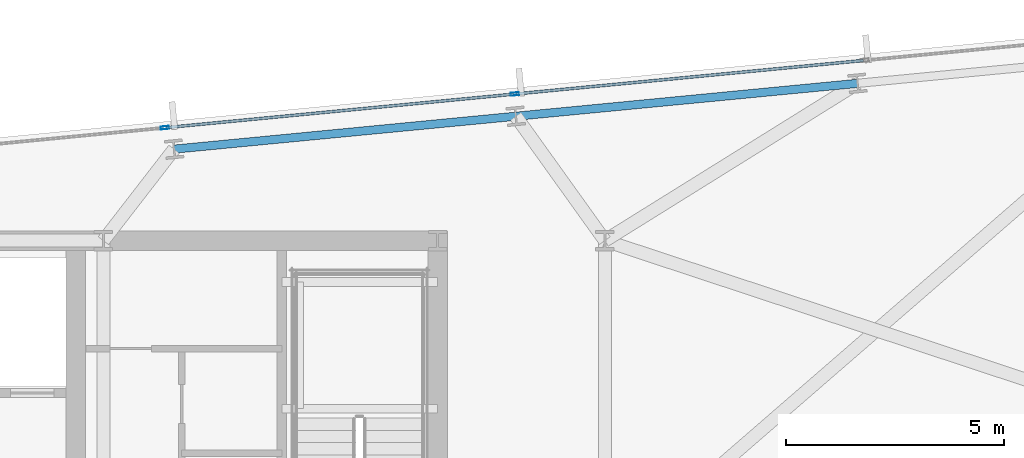
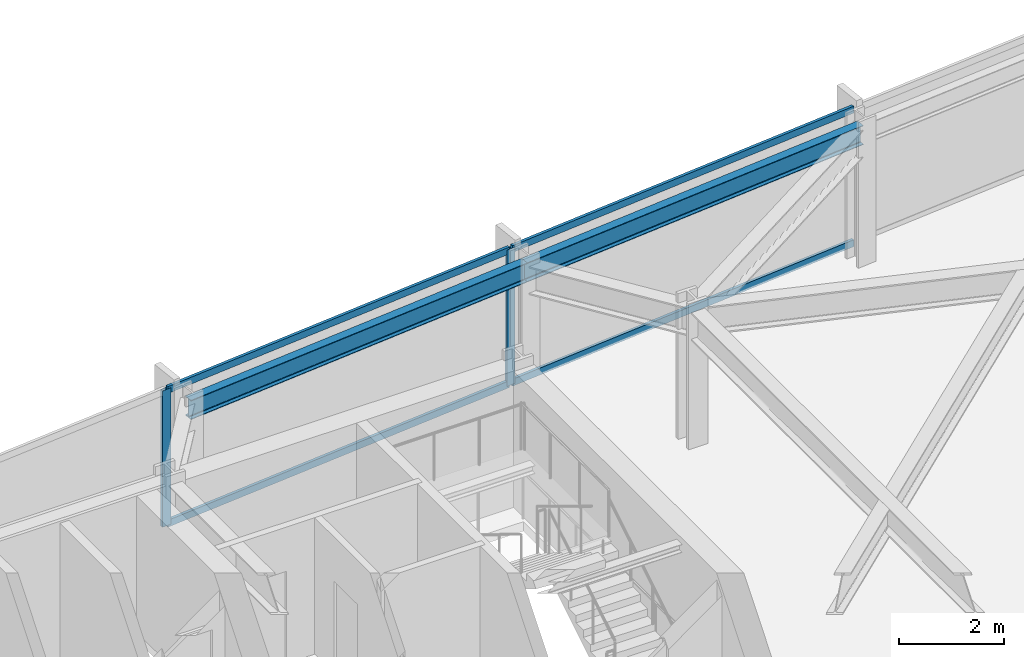
# One storey, part 21 of 32: 6 members, 2 beams, 1 element without a shape of its own.
"""IFC4 building model written with IfcOpenShell, lengths in metres."""

from ifc_helpers import new_model, si_unit, direction, frame, origin, origin_2d, place, context, subcontext, project, spatial, hollow_rectangle, i_section, extrude, material, material_profile, profile_set, type_object, element, aggregate, save


model = new_model("IFC4")

# Units and contexts
model_context = context("Model", 3, precision=1e-05, world=origin(), true_north=direction((0.0, 1.0)))
body_context = subcontext(model_context, "Body", "Model", "MODEL_VIEW")
ifc_project = project(units=[si_unit("LENGTHUNIT", "METRE"), si_unit("AREAUNIT", "SQUARE_METRE"), si_unit("VOLUMEUNIT", "CUBIC_METRE"), si_unit("PLANEANGLEUNIT", "RADIAN"), si_unit("MASSUNIT", "GRAM", prefix="KILO")], contexts=[model_context])

# Site, building, storey
site_placement = place(None, origin())
site = spatial("IfcSite", under=ifc_project, at=site_placement, CompositionType="ELEMENT")
building_placement = place(site_placement, origin())
building = spatial("IfcBuilding", under=site, at=building_placement, Name="Yelkora Congress Tower", CompositionType="ELEMENT")
storey_placement = place(building_placement, frame((0.0, 0.0, 130.5)))
storey = spatial("IfcBuildingStorey", under=building, at=storey_placement, Name="L35", CompositionType="ELEMENT", Elevation=130.5)

# Beams
ifc_material_1 = material(Name="Steel S355J2", Category="steel")
ifc_material_profile_1 = material_profile(ifc_material_1, i_section(OverallWidth=0.18994140625, OverallDepth=0.449951171875, WebThickness=0.009521484375, FlangeThickness=0.0146484375, FilletRadius=0.02099609375, at=origin_2d()), Name="IPE 450")
ifc_profile_set_1 = profile_set([ifc_material_profile_1], Name="Steel S355J2")
beam_type = type_object("IfcBeamType", Name="BM-SPAN-IPE450", PredefinedType="SPANDREL", material=ifc_profile_set_1)
for number, where, z_axis, x_axis, name in (
    (1, (63.4033203125, 49.81201171875, 2.955078125), (-0.995398529126, -0.09582154358, 0.0), (0.09582154358, -0.995398529126, 0.0), "L35 Perimeter Beam 15"),
    (2, (55.553955078125, 49.056396484375, 2.955078125), (-0.995395575667, -0.095852219286, 0.0), (0.095852219286, -0.995395575667, 0.0), "L35 Perimeter Beam 16"),
):
    element("IfcBeam", number, at=place(storey_placement, frame(where, z_axis=z_axis, x_axis=x_axis)), inside=storey, type_object=beam_type, Name=name, PredefinedType="SPANDREL", context=body_context, shape_type="SweptSolid", body=[
        extrude(i_section(OverallWidth=0.18994140625, OverallDepth=0.449951171875, WebThickness=0.009521484375, FlangeThickness=0.0146484375, FilletRadius=0.02099609375, at=origin_2d()), origin(), (0.0, 0.0, 1.0), 7.8857421875),
    ])

# Curtain wall, members
ifc_material_2 = material(Name="Anodised aluminium and insulated glass", Category="aluminium")
curtain_wall_type = type_object("IfcCurtainWallType", Name="CW-SYS-B2", PredefinedType="NOTDEFINED", material=ifc_material_2)
curtain_wall_placement = place(storey_placement, origin())
curtain_wall = element("IfcCurtainWall", 3, at=curtain_wall_placement, inside=storey, type_object=curtain_wall_type, Name="L35 Unitised Curtain Wall 10 (3)", PredefinedType="NOTDEFINED")
ifc_material_3 = material(Name="Anodised aluminium 6063-T6", Category="aluminium")
ifc_material_profile_2 = material_profile(ifc_material_3, hollow_rectangle(XDim=0.070068359375, YDim=0.18994140625, WallThickness=0.00390625, at=origin_2d()), Name="ALU 70x190x4")
ifc_profile_set_2 = profile_set([ifc_material_profile_2], Name="Anodised aluminium 6063-T6")
member_type_1 = type_object("IfcMemberType", Name="MEM-ML-B2", PredefinedType="MULLION", material=ifc_profile_set_2)
member_1_placement = place(storey_placement, frame((47.491943359375, 48.79248046875, 0.0), z_axis=(0.0, 0.0, 1.0), x_axis=(-0.095844238468, 0.995396344153, 0.0)))
member_1 = element("IfcMember", 4, at=member_1_placement, type_object=member_type_1, Name="CW-B2 mullion 4", PredefinedType="MULLION", context=body_context, shape_type="SweptSolid", body=[
    extrude(hollow_rectangle(XDim=0.070068359375, YDim=0.18994140625, WallThickness=0.00390625, at=origin_2d()), origin(), (0.0, 0.0, 1.0), 3.179931640625),
])
member_2_placement = place(storey_placement, frame((55.531982421875, 49.566650390625, 0.0), z_axis=(0.0, 0.0, 1.0), x_axis=(-0.095844238468, 0.995396344153, 0.0)))
member_2 = element("IfcMember", 5, at=member_2_placement, type_object=member_type_1, Name="CW-B2 mullion 5", PredefinedType="MULLION", context=body_context, shape_type="SweptSolid", body=[
    extrude(hollow_rectangle(XDim=0.070068359375, YDim=0.18994140625, WallThickness=0.00390625, at=origin_2d()), origin(), (0.0, 0.0, 1.0), 3.179931640625),
])
ifc_material_profile_3 = material_profile(ifc_material_3, hollow_rectangle(XDim=0.06494140625, YDim=0.159912109375, WallThickness=0.00390625, at=origin_2d()), Name="ALU 65x160x4")
ifc_profile_set_3 = profile_set([ifc_material_profile_3], Name="Anodised aluminium 6063-T6")
member_type_2 = type_object("IfcMemberType", Name="MEM-TR-B2", PredefinedType="USERDEFINED", material=ifc_profile_set_3)
member_3_placement = place(storey_placement, frame((47.52685546875, 48.7958984375, 0.032470703125), z_axis=(0.995397513894, 0.095832089266, 0.0), x_axis=(-0.095832089266, 0.995397513894, 0.0)))
member_3 = element("IfcMember", 6, at=member_3_placement, type_object=member_type_2, Name="CW-B2 transom 4.1", ObjectType="TRANSOM", PredefinedType="USERDEFINED", context=body_context, shape_type="SweptSolid", body=[
    extrude(hollow_rectangle(XDim=0.06494140625, YDim=0.159912109375, WallThickness=0.00390625, at=origin_2d()), origin(), (0.0, 0.0, 1.0), 8.007080078125),
])
member_4_placement = place(storey_placement, frame((47.52685546875, 48.7958984375, 3.1474609375), z_axis=(0.995397513894, 0.095832089266, 0.0), x_axis=(-0.095832089266, 0.995397513894, 0.0)))
member_4 = element("IfcMember", 7, at=member_4_placement, type_object=member_type_2, Name="CW-B2 transom 4.2", ObjectType="TRANSOM", PredefinedType="USERDEFINED", context=body_context, shape_type="SweptSolid", body=[
    extrude(hollow_rectangle(XDim=0.06494140625, YDim=0.159912109375, WallThickness=0.00390625, at=origin_2d()), origin(), (0.0, 0.0, 1.0), 8.007080078125),
])
member_5_placement = place(storey_placement, frame((55.566650390625, 49.570068359375, 0.032470703125), z_axis=(0.995397793901, 0.09582918082, 0.0), x_axis=(-0.09582918082, 0.995397793901, 0.0)))
member_5 = element("IfcMember", 8, at=member_5_placement, type_object=member_type_2, Name="CW-B2 transom 5.1", ObjectType="TRANSOM", PredefinedType="USERDEFINED", context=body_context, shape_type="SweptSolid", body=[
    extrude(hollow_rectangle(XDim=0.06494140625, YDim=0.159912109375, WallThickness=0.00390625, at=origin_2d()), origin(), (0.0, 0.0, 1.0), 8.00732421875),
])
member_6_placement = place(storey_placement, frame((55.566650390625, 49.570068359375, 3.1474609375), z_axis=(0.995397793901, 0.09582918082, 0.0), x_axis=(-0.09582918082, 0.995397793901, 0.0)))
member_6 = element("IfcMember", 9, at=member_6_placement, type_object=member_type_2, Name="CW-B2 transom 5.2", ObjectType="TRANSOM", PredefinedType="USERDEFINED", context=body_context, shape_type="SweptSolid", body=[
    extrude(hollow_rectangle(XDim=0.06494140625, YDim=0.159912109375, WallThickness=0.00390625, at=origin_2d()), origin(), (0.0, 0.0, 1.0), 8.00732421875),
])
aggregate(curtain_wall, [member_1, member_2, member_3, member_4, member_5, member_6])

save(model, "model.ifc")
